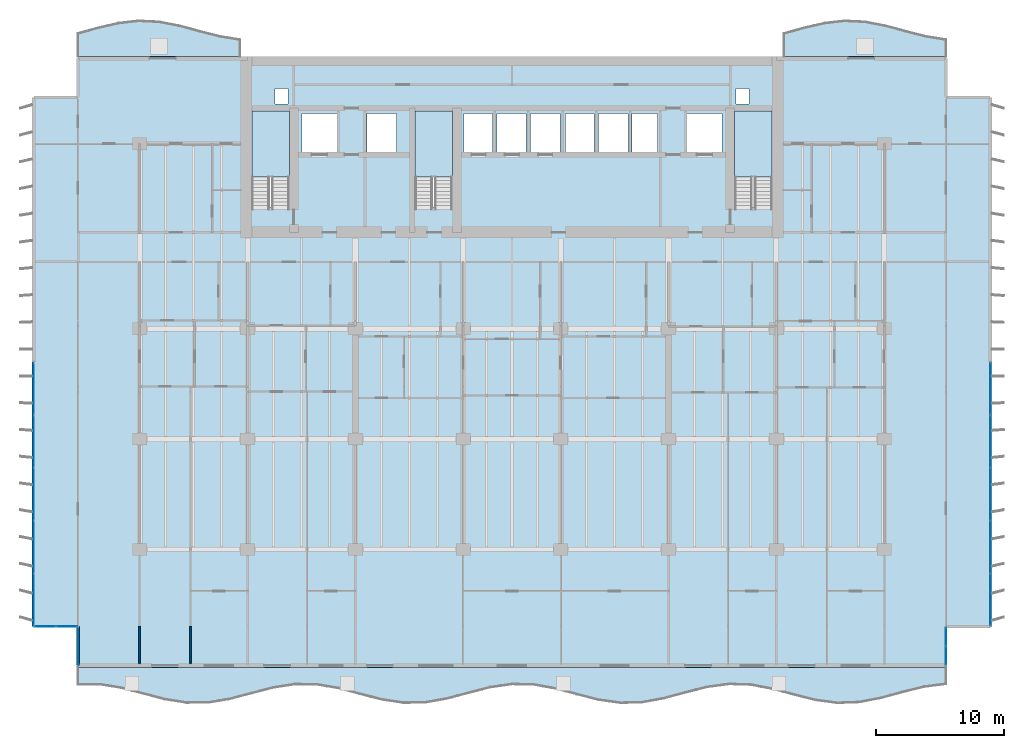
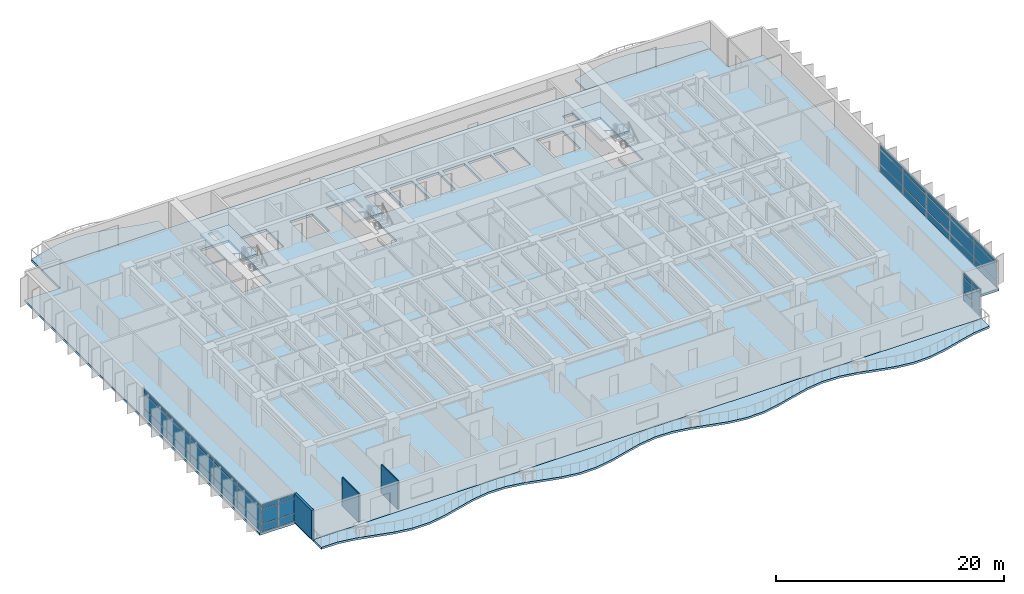
# One storey, part 5 of 17: 42 plates, 7 slabs, 3 walls, 7 elements without a shape of their own.
"""IFC4 building model written with IfcOpenShell, lengths in metres."""

from ifc_helpers import new_model, si_unit, direction, frame, frame_2d, origin, origin_2d, place, context, subcontext, project, spatial, polyline, rectangle, outline, extrude, material, layer, layer_set, type_object, element, aggregate, save


model = new_model("IFC4")

# Units and contexts
model_context = context("Model", 3, precision=1e-05, world=origin(), true_north=direction((0.0, 1.0)))
body_context = subcontext(model_context, "Body", "Model", "MODEL_VIEW")
ifc_project = project(units=[si_unit("LENGTHUNIT", "METRE"), si_unit("AREAUNIT", "SQUARE_METRE"), si_unit("VOLUMEUNIT", "CUBIC_METRE"), si_unit("PLANEANGLEUNIT", "RADIAN"), si_unit("MASSUNIT", "GRAM", prefix="KILO")], contexts=[model_context])

# Site, building, storey
site_placement = place(None, origin())
site = spatial("IfcSite", under=ifc_project, at=site_placement, CompositionType="ELEMENT")
building_placement = place(site_placement, origin())
building = spatial("IfcBuilding", under=site, at=building_placement, Name="Caelmar Bay Residences", CompositionType="ELEMENT")
storey_placement = place(building_placement, frame((0.0, 0.0, 53.10009765625)))
storey = spatial("IfcBuildingStorey", under=building, at=storey_placement, Name="L13", CompositionType="ELEMENT", Elevation=53.10009765625)

# Curtain wall, plates
ifc_material_1 = material(Name="Anodised bronze aluminium 6063-T6 and laminated glass", Category="aluminium")
ifc_layer_1 = layer(ifc_material_1, 0.179931640625)
ifc_layer_set_1 = layer_set([ifc_layer_1], Name="Anodised bronze aluminium 6063-T6 and laminated glass")
curtain_wall_type_1 = type_object("IfcCurtainWallType", Name="CW6-NTC", PredefinedType="NOTDEFINED", material=ifc_layer_set_1)
curtain_wall_1_placement = place(storey_placement, origin())
curtain_wall_1 = element("IfcCurtainWall", 1, at=curtain_wall_1_placement, inside=storey, type_object=curtain_wall_type_1, Name="CW6 curtain wall L13", PredefinedType="NOTDEFINED")
ifc_material_2 = material(Name="Bronze-tinted laminated low-E hurricane glass 28 mm", Category="glass")
ifc_layer_2 = layer(ifc_material_2, 0.028076171875)
ifc_layer_set_2 = layer_set([ifc_layer_2], Name="Bronze-tinted laminated low-E hurricane glass 28 mm")
plate_type = type_object("IfcPlateType", Name="CWP-GLZ28", PredefinedType="CURTAIN_PANEL", material=ifc_layer_set_2)
plate_1_placement = place(storey_placement, frame((2.532470703125, 6.199951171875, 0.080078125), z_axis=(0.0, 0.0, 1.0), x_axis=(1.0, 0.0, 0.0)))
plate_1 = element("IfcPlate", 2, at=plate_1_placement, type_object=plate_type, Name="CW6 panel 1.1", PredefinedType="CURTAIN_PANEL", context=body_context, shape_type="SweptSolid", body=[
    extrude(rectangle(XDim=1.60498046875, YDim=0.028076171875, at=origin_2d()), origin(), (0.0, 0.0, 1.0), 0.780029296875),
])
plate_2_placement = place(storey_placement, frame((2.532470703125, 6.199951171875, 0.93994140625), z_axis=(0.0, 0.0, 1.0), x_axis=(1.0, 0.0, 0.0)))
plate_2 = element("IfcPlate", 3, at=plate_2_placement, type_object=plate_type, Name="CW6 panel 1.2", PredefinedType="CURTAIN_PANEL", context=body_context, shape_type="SweptSolid", body=[
    extrude(rectangle(XDim=1.60498046875, YDim=0.028076171875, at=origin_2d()), origin(), (0.0, 0.0, 1.0), 1.52001953125),
])
plate_3_placement = place(storey_placement, frame((2.532470703125, 6.199951171875, 2.5400390625), z_axis=(0.0, 0.0, 1.0), x_axis=(1.0, 0.0, 0.0)))
plate_3 = element("IfcPlate", 4, at=plate_3_placement, type_object=plate_type, Name="CW6 panel 1.3", PredefinedType="CURTAIN_PANEL", context=body_context, shape_type="SweptSolid", body=[
    extrude(rectangle(XDim=1.60498046875, YDim=0.028076171875, at=origin_2d()), origin(), (0.0, 0.0, 1.0), 0.429931640625),
])
plate_4_placement = place(storey_placement, frame((4.217529296875, 6.199951171875, 0.080078125), z_axis=(0.0, 0.0, 1.0), x_axis=(1.0, 0.0, 0.0)))
plate_4 = element("IfcPlate", 5, at=plate_4_placement, type_object=plate_type, Name="CW6 panel 2.1", PredefinedType="CURTAIN_PANEL", context=body_context, shape_type="SweptSolid", body=[
    extrude(rectangle(XDim=1.60498046875, YDim=0.028076171875, at=origin_2d()), origin(), (0.0, 0.0, 1.0), 0.780029296875),
])
plate_5_placement = place(storey_placement, frame((4.217529296875, 6.199951171875, 0.93994140625), z_axis=(0.0, 0.0, 1.0), x_axis=(1.0, 0.0, 0.0)))
plate_5 = element("IfcPlate", 6, at=plate_5_placement, type_object=plate_type, Name="CW6 panel 2.2", PredefinedType="CURTAIN_PANEL", context=body_context, shape_type="SweptSolid", body=[
    extrude(rectangle(XDim=1.60498046875, YDim=0.028076171875, at=origin_2d()), origin(), (0.0, 0.0, 1.0), 1.52001953125),
])
plate_6_placement = place(storey_placement, frame((4.217529296875, 6.199951171875, 2.5400390625), z_axis=(0.0, 0.0, 1.0), x_axis=(1.0, 0.0, 0.0)))
plate_6 = element("IfcPlate", 7, at=plate_6_placement, type_object=plate_type, Name="CW6 panel 2.3", PredefinedType="CURTAIN_PANEL", context=body_context, shape_type="SweptSolid", body=[
    extrude(rectangle(XDim=1.60498046875, YDim=0.028076171875, at=origin_2d()), origin(), (0.0, 0.0, 1.0), 0.429931640625),
])
aggregate(curtain_wall_1, [plate_1, plate_2, plate_3, plate_4, plate_5, plate_6])

curtain_wall_2_placement = place(storey_placement, origin())
curtain_wall_2 = element("IfcCurtainWall", 8, at=curtain_wall_2_placement, inside=storey, type_object=curtain_wall_type_1, Name="CW6 curtain wall L13", PredefinedType="NOTDEFINED")
plate_7_placement = place(storey_placement, frame((72.699951171875, 3.9326171875, 0.080078125), z_axis=(0.0, 0.0, 1.0), x_axis=(0.0, 1.0, 0.0)))
plate_7 = element("IfcPlate", 9, at=plate_7_placement, type_object=plate_type, Name="CW6 panel 1.1", PredefinedType="CURTAIN_PANEL", context=body_context, shape_type="SweptSolid", body=[
    extrude(rectangle(XDim=1.405029296875, YDim=0.028076171875, at=origin_2d()), origin(), (0.0, 0.0, 1.0), 0.780029296875),
])
plate_8_placement = place(storey_placement, frame((72.699951171875, 3.9326171875, 0.93994140625), z_axis=(0.0, 0.0, 1.0), x_axis=(0.0, 1.0, 0.0)))
plate_8 = element("IfcPlate", 10, at=plate_8_placement, type_object=plate_type, Name="CW6 panel 1.2", PredefinedType="CURTAIN_PANEL", context=body_context, shape_type="SweptSolid", body=[
    extrude(rectangle(XDim=1.405029296875, YDim=0.028076171875, at=origin_2d()), origin(), (0.0, 0.0, 1.0), 1.52001953125),
])
plate_9_placement = place(storey_placement, frame((72.699951171875, 3.9326171875, 2.5400390625), z_axis=(0.0, 0.0, 1.0), x_axis=(0.0, 1.0, 0.0)))
plate_9 = element("IfcPlate", 11, at=plate_9_placement, type_object=plate_type, Name="CW6 panel 1.3", PredefinedType="CURTAIN_PANEL", context=body_context, shape_type="SweptSolid", body=[
    extrude(rectangle(XDim=1.405029296875, YDim=0.028076171875, at=origin_2d()), origin(), (0.0, 0.0, 1.0), 0.429931640625),
])
plate_10_placement = place(storey_placement, frame((72.699951171875, 5.41748046875, 0.080078125), z_axis=(0.0, 0.0, 1.0), x_axis=(0.0, 1.0, 0.0)))
plate_10 = element("IfcPlate", 12, at=plate_10_placement, type_object=plate_type, Name="CW6 panel 2.1", PredefinedType="CURTAIN_PANEL", context=body_context, shape_type="SweptSolid", body=[
    extrude(rectangle(XDim=1.405029296875, YDim=0.028076171875, at=origin_2d()), origin(), (0.0, 0.0, 1.0), 0.780029296875),
])
plate_11_placement = place(storey_placement, frame((72.699951171875, 5.41748046875, 0.93994140625), z_axis=(0.0, 0.0, 1.0), x_axis=(0.0, 1.0, 0.0)))
plate_11 = element("IfcPlate", 13, at=plate_11_placement, type_object=plate_type, Name="CW6 panel 2.2", PredefinedType="CURTAIN_PANEL", context=body_context, shape_type="SweptSolid", body=[
    extrude(rectangle(XDim=1.405029296875, YDim=0.028076171875, at=origin_2d()), origin(), (0.0, 0.0, 1.0), 1.52001953125),
])
plate_12_placement = place(storey_placement, frame((72.699951171875, 5.41748046875, 2.5400390625), z_axis=(0.0, 0.0, 1.0), x_axis=(0.0, 1.0, 0.0)))
plate_12 = element("IfcPlate", 14, at=plate_12_placement, type_object=plate_type, Name="CW6 panel 2.3", PredefinedType="CURTAIN_PANEL", context=body_context, shape_type="SweptSolid", body=[
    extrude(rectangle(XDim=1.405029296875, YDim=0.028076171875, at=origin_2d()), origin(), (0.0, 0.0, 1.0), 0.429931640625),
])
aggregate(curtain_wall_2, [plate_7, plate_8, plate_9, plate_10, plate_11, plate_12])

ifc_layer_3 = layer(ifc_material_1, 0.179931640625)
ifc_layer_set_3 = layer_set([ifc_layer_3], Name="Anodised bronze aluminium 6063-T6 and laminated glass")
curtain_wall_type_2 = type_object("IfcCurtainWallType", Name="CW2-Z1", PredefinedType="NOTDEFINED", material=ifc_layer_set_3)
curtain_wall_3_placement = place(storey_placement, origin())
curtain_wall_3 = element("IfcCurtainWall", 15, at=curtain_wall_3_placement, inside=storey, type_object=curtain_wall_type_2, Name="CW2 curtain wall L13", PredefinedType="NOTDEFINED")
plate_13_placement = place(storey_placement, frame((1.64990234375, 8.280029296875, 0.080078125), z_axis=(0.0, 0.0, 1.0), x_axis=(0.0, 1.0, 0.0)))
plate_13 = element("IfcPlate", 16, at=plate_13_placement, type_object=plate_type, Name="CW2 panel 1.1", PredefinedType="CURTAIN_PANEL", context=body_context, shape_type="SweptSolid", body=[
    extrude(rectangle(XDim=4.0, YDim=0.028076171875, at=origin_2d()), origin(), (0.0, 0.0, 1.0), 0.780029296875),
])
plate_14_placement = place(storey_placement, frame((1.64990234375, 8.280029296875, 0.93994140625), z_axis=(0.0, 0.0, 1.0), x_axis=(0.0, 1.0, 0.0)))
plate_14 = element("IfcPlate", 17, at=plate_14_placement, type_object=plate_type, Name="CW2 panel 1.2", PredefinedType="CURTAIN_PANEL", context=body_context, shape_type="SweptSolid", body=[
    extrude(rectangle(XDim=4.0, YDim=0.028076171875, at=origin_2d()), origin(), (0.0, 0.0, 1.0), 1.52001953125),
])
plate_15_placement = place(storey_placement, frame((1.64990234375, 8.280029296875, 2.5400390625), z_axis=(0.0, 0.0, 1.0), x_axis=(0.0, 1.0, 0.0)))
plate_15 = element("IfcPlate", 18, at=plate_15_placement, type_object=plate_type, Name="CW2 panel 1.3", PredefinedType="CURTAIN_PANEL", context=body_context, shape_type="SweptSolid", body=[
    extrude(rectangle(XDim=4.0, YDim=0.028076171875, at=origin_2d()), origin(), (0.0, 0.0, 1.0), 0.429931640625),
])
plate_16_placement = place(storey_placement, frame((1.64990234375, 12.3798828125, 0.080078125), z_axis=(0.0, 0.0, 1.0), x_axis=(0.0, 1.0, 0.0)))
plate_16 = element("IfcPlate", 19, at=plate_16_placement, type_object=plate_type, Name="CW2 panel 2.1", PredefinedType="CURTAIN_PANEL", context=body_context, shape_type="SweptSolid", body=[
    extrude(rectangle(XDim=4.0400390625, YDim=0.028076171875, at=origin_2d()), origin(), (0.0, 0.0, 1.0), 0.780029296875),
])
plate_17_placement = place(storey_placement, frame((1.64990234375, 12.3798828125, 0.93994140625), z_axis=(0.0, 0.0, 1.0), x_axis=(0.0, 1.0, 0.0)))
plate_17 = element("IfcPlate", 20, at=plate_17_placement, type_object=plate_type, Name="CW2 panel 2.2", PredefinedType="CURTAIN_PANEL", context=body_context, shape_type="SweptSolid", body=[
    extrude(rectangle(XDim=4.0400390625, YDim=0.028076171875, at=origin_2d()), origin(), (0.0, 0.0, 1.0), 1.52001953125),
])
plate_18_placement = place(storey_placement, frame((1.64990234375, 12.3798828125, 2.5400390625), z_axis=(0.0, 0.0, 1.0), x_axis=(0.0, 1.0, 0.0)))
plate_18 = element("IfcPlate", 21, at=plate_18_placement, type_object=plate_type, Name="CW2 panel 2.3", PredefinedType="CURTAIN_PANEL", context=body_context, shape_type="SweptSolid", body=[
    extrude(rectangle(XDim=4.0400390625, YDim=0.028076171875, at=origin_2d()), origin(), (0.0, 0.0, 1.0), 0.429931640625),
])
plate_19_placement = place(storey_placement, frame((1.64990234375, 16.5, 0.080078125), z_axis=(0.0, 0.0, 1.0), x_axis=(0.0, 1.0, 0.0)))
plate_19 = element("IfcPlate", 22, at=plate_19_placement, type_object=plate_type, Name="CW2 panel 3.1", PredefinedType="CURTAIN_PANEL", context=body_context, shape_type="SweptSolid", body=[
    extrude(rectangle(XDim=4.0400390625, YDim=0.028076171875, at=origin_2d()), origin(), (0.0, 0.0, 1.0), 0.780029296875),
])
plate_20_placement = place(storey_placement, frame((1.64990234375, 16.5, 0.93994140625), z_axis=(0.0, 0.0, 1.0), x_axis=(0.0, 1.0, 0.0)))
plate_20 = element("IfcPlate", 23, at=plate_20_placement, type_object=plate_type, Name="CW2 panel 3.2", PredefinedType="CURTAIN_PANEL", context=body_context, shape_type="SweptSolid", body=[
    extrude(rectangle(XDim=4.0400390625, YDim=0.028076171875, at=origin_2d()), origin(), (0.0, 0.0, 1.0), 1.52001953125),
])
plate_21_placement = place(storey_placement, frame((1.64990234375, 16.5, 2.5400390625), z_axis=(0.0, 0.0, 1.0), x_axis=(0.0, 1.0, 0.0)))
plate_21 = element("IfcPlate", 24, at=plate_21_placement, type_object=plate_type, Name="CW2 panel 3.3", PredefinedType="CURTAIN_PANEL", context=body_context, shape_type="SweptSolid", body=[
    extrude(rectangle(XDim=4.0400390625, YDim=0.028076171875, at=origin_2d()), origin(), (0.0, 0.0, 1.0), 0.429931640625),
])
plate_22_placement = place(storey_placement, frame((1.64990234375, 20.6201171875, 0.080078125), z_axis=(0.0, 0.0, 1.0), x_axis=(0.0, 1.0, 0.0)))
plate_22 = element("IfcPlate", 25, at=plate_22_placement, type_object=plate_type, Name="CW2 panel 4.1", PredefinedType="CURTAIN_PANEL", context=body_context, shape_type="SweptSolid", body=[
    extrude(rectangle(XDim=4.0400390625, YDim=0.028076171875, at=origin_2d()), origin(), (0.0, 0.0, 1.0), 0.780029296875),
])
plate_23_placement = place(storey_placement, frame((1.64990234375, 20.6201171875, 0.93994140625), z_axis=(0.0, 0.0, 1.0), x_axis=(0.0, 1.0, 0.0)))
plate_23 = element("IfcPlate", 26, at=plate_23_placement, type_object=plate_type, Name="CW2 panel 4.2", PredefinedType="CURTAIN_PANEL", context=body_context, shape_type="SweptSolid", body=[
    extrude(rectangle(XDim=4.0400390625, YDim=0.028076171875, at=origin_2d()), origin(), (0.0, 0.0, 1.0), 1.52001953125),
])
plate_24_placement = place(storey_placement, frame((1.64990234375, 20.6201171875, 2.5400390625), z_axis=(0.0, 0.0, 1.0), x_axis=(0.0, 1.0, 0.0)))
plate_24 = element("IfcPlate", 27, at=plate_24_placement, type_object=plate_type, Name="CW2 panel 4.3", PredefinedType="CURTAIN_PANEL", context=body_context, shape_type="SweptSolid", body=[
    extrude(rectangle(XDim=4.0400390625, YDim=0.028076171875, at=origin_2d()), origin(), (0.0, 0.0, 1.0), 0.429931640625),
])
plate_25_placement = place(storey_placement, frame((1.64990234375, 24.719970703125, 0.080078125), z_axis=(0.0, 0.0, 1.0), x_axis=(0.0, 1.0, 0.0)))
plate_25 = element("IfcPlate", 28, at=plate_25_placement, type_object=plate_type, Name="CW2 panel 5.1", PredefinedType="CURTAIN_PANEL", context=body_context, shape_type="SweptSolid", body=[
    extrude(rectangle(XDim=4.0, YDim=0.028076171875, at=origin_2d()), origin(), (0.0, 0.0, 1.0), 0.780029296875),
])
plate_26_placement = place(storey_placement, frame((1.64990234375, 24.719970703125, 0.93994140625), z_axis=(0.0, 0.0, 1.0), x_axis=(0.0, 1.0, 0.0)))
plate_26 = element("IfcPlate", 29, at=plate_26_placement, type_object=plate_type, Name="CW2 panel 5.2", PredefinedType="CURTAIN_PANEL", context=body_context, shape_type="SweptSolid", body=[
    extrude(rectangle(XDim=4.0, YDim=0.028076171875, at=origin_2d()), origin(), (0.0, 0.0, 1.0), 1.52001953125),
])
plate_27_placement = place(storey_placement, frame((1.64990234375, 24.719970703125, 2.5400390625), z_axis=(0.0, 0.0, 1.0), x_axis=(0.0, 1.0, 0.0)))
plate_27 = element("IfcPlate", 30, at=plate_27_placement, type_object=plate_type, Name="CW2 panel 5.3", PredefinedType="CURTAIN_PANEL", context=body_context, shape_type="SweptSolid", body=[
    extrude(rectangle(XDim=4.0, YDim=0.028076171875, at=origin_2d()), origin(), (0.0, 0.0, 1.0), 0.429931640625),
])
aggregate(curtain_wall_3, [plate_13, plate_14, plate_15, plate_16, plate_17, plate_18, plate_19, plate_20, plate_21, plate_22, plate_23, plate_24, plate_25, plate_26, plate_27])

curtain_wall_4_placement = place(storey_placement, origin())
curtain_wall_4 = element("IfcCurtainWall", 31, at=curtain_wall_4_placement, inside=storey, type_object=curtain_wall_type_2, Name="CW2 curtain wall L13", PredefinedType="NOTDEFINED")
plate_28_placement = place(storey_placement, frame((76.14990234375, 24.719970703125, 0.080078125), z_axis=(0.0, 0.0, 1.0), x_axis=(0.0, -1.0, 0.0)))
plate_28 = element("IfcPlate", 32, at=plate_28_placement, type_object=plate_type, Name="CW2 panel 1.1", PredefinedType="CURTAIN_PANEL", context=body_context, shape_type="SweptSolid", body=[
    extrude(rectangle(XDim=4.0, YDim=0.028076171875, at=origin_2d()), origin(), (0.0, 0.0, 1.0), 0.780029296875),
])
plate_29_placement = place(storey_placement, frame((76.14990234375, 24.719970703125, 0.93994140625), z_axis=(0.0, 0.0, 1.0), x_axis=(0.0, -1.0, 0.0)))
plate_29 = element("IfcPlate", 33, at=plate_29_placement, type_object=plate_type, Name="CW2 panel 1.2", PredefinedType="CURTAIN_PANEL", context=body_context, shape_type="SweptSolid", body=[
    extrude(rectangle(XDim=4.0, YDim=0.028076171875, at=origin_2d()), origin(), (0.0, 0.0, 1.0), 1.52001953125),
])
plate_30_placement = place(storey_placement, frame((76.14990234375, 24.719970703125, 2.5400390625), z_axis=(0.0, 0.0, 1.0), x_axis=(0.0, -1.0, 0.0)))
plate_30 = element("IfcPlate", 34, at=plate_30_placement, type_object=plate_type, Name="CW2 panel 1.3", PredefinedType="CURTAIN_PANEL", context=body_context, shape_type="SweptSolid", body=[
    extrude(rectangle(XDim=4.0, YDim=0.028076171875, at=origin_2d()), origin(), (0.0, 0.0, 1.0), 0.429931640625),
])
plate_31_placement = place(storey_placement, frame((76.14990234375, 20.6201171875, 0.080078125), z_axis=(0.0, 0.0, 1.0), x_axis=(0.0, -1.0, 0.0)))
plate_31 = element("IfcPlate", 35, at=plate_31_placement, type_object=plate_type, Name="CW2 panel 2.1", PredefinedType="CURTAIN_PANEL", context=body_context, shape_type="SweptSolid", body=[
    extrude(rectangle(XDim=4.0400390625, YDim=0.028076171875, at=origin_2d()), origin(), (0.0, 0.0, 1.0), 0.780029296875),
])
plate_32_placement = place(storey_placement, frame((76.14990234375, 20.6201171875, 0.93994140625), z_axis=(0.0, 0.0, 1.0), x_axis=(0.0, -1.0, 0.0)))
plate_32 = element("IfcPlate", 36, at=plate_32_placement, type_object=plate_type, Name="CW2 panel 2.2", PredefinedType="CURTAIN_PANEL", context=body_context, shape_type="SweptSolid", body=[
    extrude(rectangle(XDim=4.0400390625, YDim=0.028076171875, at=origin_2d()), origin(), (0.0, 0.0, 1.0), 1.52001953125),
])
plate_33_placement = place(storey_placement, frame((76.14990234375, 20.6201171875, 2.5400390625), z_axis=(0.0, 0.0, 1.0), x_axis=(0.0, -1.0, 0.0)))
plate_33 = element("IfcPlate", 37, at=plate_33_placement, type_object=plate_type, Name="CW2 panel 2.3", PredefinedType="CURTAIN_PANEL", context=body_context, shape_type="SweptSolid", body=[
    extrude(rectangle(XDim=4.0400390625, YDim=0.028076171875, at=origin_2d()), origin(), (0.0, 0.0, 1.0), 0.429931640625),
])
plate_34_placement = place(storey_placement, frame((76.14990234375, 16.5, 0.080078125), z_axis=(0.0, 0.0, 1.0), x_axis=(0.0, -1.0, 0.0)))
plate_34 = element("IfcPlate", 38, at=plate_34_placement, type_object=plate_type, Name="CW2 panel 3.1", PredefinedType="CURTAIN_PANEL", context=body_context, shape_type="SweptSolid", body=[
    extrude(rectangle(XDim=4.0400390625, YDim=0.028076171875, at=origin_2d()), origin(), (0.0, 0.0, 1.0), 0.780029296875),
])
plate_35_placement = place(storey_placement, frame((76.14990234375, 16.5, 0.93994140625), z_axis=(0.0, 0.0, 1.0), x_axis=(0.0, -1.0, 0.0)))
plate_35 = element("IfcPlate", 39, at=plate_35_placement, type_object=plate_type, Name="CW2 panel 3.2", PredefinedType="CURTAIN_PANEL", context=body_context, shape_type="SweptSolid", body=[
    extrude(rectangle(XDim=4.0400390625, YDim=0.028076171875, at=origin_2d()), origin(), (0.0, 0.0, 1.0), 1.52001953125),
])
plate_36_placement = place(storey_placement, frame((76.14990234375, 16.5, 2.5400390625), z_axis=(0.0, 0.0, 1.0), x_axis=(0.0, -1.0, 0.0)))
plate_36 = element("IfcPlate", 40, at=plate_36_placement, type_object=plate_type, Name="CW2 panel 3.3", PredefinedType="CURTAIN_PANEL", context=body_context, shape_type="SweptSolid", body=[
    extrude(rectangle(XDim=4.0400390625, YDim=0.028076171875, at=origin_2d()), origin(), (0.0, 0.0, 1.0), 0.429931640625),
])
plate_37_placement = place(storey_placement, frame((76.14990234375, 12.3798828125, 0.080078125), z_axis=(0.0, 0.0, 1.0), x_axis=(0.0, -1.0, 0.0)))
plate_37 = element("IfcPlate", 41, at=plate_37_placement, type_object=plate_type, Name="CW2 panel 4.1", PredefinedType="CURTAIN_PANEL", context=body_context, shape_type="SweptSolid", body=[
    extrude(rectangle(XDim=4.0400390625, YDim=0.028076171875, at=origin_2d()), origin(), (0.0, 0.0, 1.0), 0.780029296875),
])
plate_38_placement = place(storey_placement, frame((76.14990234375, 12.3798828125, 0.93994140625), z_axis=(0.0, 0.0, 1.0), x_axis=(0.0, -1.0, 0.0)))
plate_38 = element("IfcPlate", 42, at=plate_38_placement, type_object=plate_type, Name="CW2 panel 4.2", PredefinedType="CURTAIN_PANEL", context=body_context, shape_type="SweptSolid", body=[
    extrude(rectangle(XDim=4.0400390625, YDim=0.028076171875, at=origin_2d()), origin(), (0.0, 0.0, 1.0), 1.52001953125),
])
plate_39_placement = place(storey_placement, frame((76.14990234375, 12.3798828125, 2.5400390625), z_axis=(0.0, 0.0, 1.0), x_axis=(0.0, -1.0, 0.0)))
plate_39 = element("IfcPlate", 43, at=plate_39_placement, type_object=plate_type, Name="CW2 panel 4.3", PredefinedType="CURTAIN_PANEL", context=body_context, shape_type="SweptSolid", body=[
    extrude(rectangle(XDim=4.0400390625, YDim=0.028076171875, at=origin_2d()), origin(), (0.0, 0.0, 1.0), 0.429931640625),
])
plate_40_placement = place(storey_placement, frame((76.14990234375, 8.280029296875, 0.080078125), z_axis=(0.0, 0.0, 1.0), x_axis=(0.0, -1.0, 0.0)))
plate_40 = element("IfcPlate", 44, at=plate_40_placement, type_object=plate_type, Name="CW2 panel 5.1", PredefinedType="CURTAIN_PANEL", context=body_context, shape_type="SweptSolid", body=[
    extrude(rectangle(XDim=4.0, YDim=0.028076171875, at=origin_2d()), origin(), (0.0, 0.0, 1.0), 0.780029296875),
])
plate_41_placement = place(storey_placement, frame((76.14990234375, 8.280029296875, 0.93994140625), z_axis=(0.0, 0.0, 1.0), x_axis=(0.0, -1.0, 0.0)))
plate_41 = element("IfcPlate", 45, at=plate_41_placement, type_object=plate_type, Name="CW2 panel 5.2", PredefinedType="CURTAIN_PANEL", context=body_context, shape_type="SweptSolid", body=[
    extrude(rectangle(XDim=4.0, YDim=0.028076171875, at=origin_2d()), origin(), (0.0, 0.0, 1.0), 1.52001953125),
])
plate_42_placement = place(storey_placement, frame((76.14990234375, 8.280029296875, 2.5400390625), z_axis=(0.0, 0.0, 1.0), x_axis=(0.0, -1.0, 0.0)))
plate_42 = element("IfcPlate", 46, at=plate_42_placement, type_object=plate_type, Name="CW2 panel 5.3", PredefinedType="CURTAIN_PANEL", context=body_context, shape_type="SweptSolid", body=[
    extrude(rectangle(XDim=4.0, YDim=0.028076171875, at=origin_2d()), origin(), (0.0, 0.0, 1.0), 0.429931640625),
])
aggregate(curtain_wall_4, [plate_28, plate_29, plate_30, plate_31, plate_32, plate_33, plate_34, plate_35, plate_36, plate_37, plate_38, plate_39, plate_40, plate_41, plate_42])

# Slabs
ifc_material_3 = material(Name="Concrete f'c 40 MPa (6,000 psi)", Category="concrete")
ifc_layer_4 = layer(ifc_material_3, 0.219970703125)
ifc_layer_set_4 = layer_set([ifc_layer_4], Name="Concrete f'c 40 MPa (6,000 psi)")
slab_type_1 = type_object("IfcSlabType", Name="SLB-BAL-220", PredefinedType="FLOOR", material=ifc_layer_set_4)
slab_1_placement = place(storey_placement, frame((0.0, 0.0, -0.22021484375)))
element("IfcSlab", 47, at=slab_1_placement, inside=storey, type_object=slab_type_1, Name="L13 Sinusoidal Tree-Balcony Slab south", PredefinedType="FLOOR", context=body_context, shape_type="SweptSolid", body=[
    extrude(outline(polyline([(5.10009765625, 1.61328125), (6.7900390625, 1.6123046875), (8.47998046875, 1.336181640625), (10.169921875, 0.8916015625), (11.860107421875, 0.4501953125), (13.550048828125, 0.1826171875), (15.239990234375, 0.192138671875), (16.929931640625, 0.47509765625), (18.6201171875, 0.92236328125), (20.31005859375, 1.361083984375), (22.0, 1.62158203125), (23.68994140625, 1.603271484375), (25.3798828125, 1.313232421875), (27.070068359375, 0.863525390625), (28.760009765625, 0.427978515625), (30.449951171875, 0.1748046875), (32.139892578125, 0.201904296875), (33.830078125, 0.49853515625), (35.52001953125, 0.950439453125), (37.2099609375, 1.3828125), (38.89990234375, 1.628662109375), (40.590087890625, 1.593017578125), (42.280029296875, 1.28955078125), (43.969970703125, 0.835693359375), (45.659912109375, 0.406494140625), (47.35009765625, 0.168212890625), (49.0400390625, 0.212646484375), (50.72998046875, 0.522705078125), (52.419921875, 0.978515625), (54.110107421875, 1.40380859375), (55.800048828125, 1.634765625), (57.489990234375, 1.581787109375), (59.179931640625, 1.26513671875), (60.8701171875, 0.8076171875), (62.56005859375, 0.3857421875), (64.25, 0.16259765625), (65.93994140625, 0.224365234375), (67.6298828125, 0.547119140625), (69.320068359375, 1.006103515625), (71.010009765625, 1.42431640625), (72.699951171875, 1.639892578125), (72.699951171875, 3.0), (5.10009765625, 3.0), (5.10009765625, 1.61328125)])), origin(), (0.0, 0.0, 1.0), 0.22021484375),
])
slab_2_placement = place(storey_placement, frame((0.0, 0.0, -0.22021484375)))
element("IfcSlab", 48, at=slab_2_placement, inside=storey, type_object=slab_type_1, Name="L13 Sinusoidal Tree-Balcony Slab north_west", PredefinedType="FLOOR", context=body_context, shape_type="SweptSolid", body=[
    extrude(outline(polyline([(5.10009765625, 50.60009765625), (17.699951171875, 50.60009765625), (17.699951171875, 51.98681640625), (16.125, 52.235595703125), (14.550048828125, 52.64111328125), (12.97509765625, 53.06640625), (11.39990234375, 53.368408203125), (9.824951171875, 53.44482421875), (8.25, 53.270263671875), (6.675048828125, 52.903564453125), (5.10009765625, 52.46826171875), (5.10009765625, 50.60009765625)])), origin(), (0.0, 0.0, 1.0), 0.22021484375),
])
slab_3_placement = place(storey_placement, frame((0.0, 0.0, -0.22021484375)))
element("IfcSlab", 49, at=slab_3_placement, inside=storey, type_object=slab_type_1, Name="L13 Sinusoidal Tree-Balcony Slab north_east", PredefinedType="FLOOR", context=body_context, shape_type="SweptSolid", body=[
    extrude(outline(polyline([(60.10009765625, 50.60009765625), (72.699951171875, 50.60009765625), (72.699951171875, 51.98681640625), (71.125, 52.235595703125), (69.550048828125, 52.64111328125), (67.97509765625, 53.06640625), (66.39990234375, 53.368408203125), (64.824951171875, 53.44482421875), (63.25, 53.270263671875), (61.675048828125, 52.903564453125), (60.10009765625, 52.46826171875), (60.10009765625, 50.60009765625)])), origin(), (0.0, 0.0, 1.0), 0.22021484375),
])

# Stair, slab
stair_type = type_object("IfcStairType", Name="ST-TYP-165", PredefinedType="HALF_TURN_STAIR", material=ifc_material_3)
stair_1_placement = place(storey_placement, origin())
stair_1 = element("IfcStair", 50, at=stair_1_placement, inside=storey, type_object=stair_type, Name="L13 West Smokeproof Exit Stair ST1", PredefinedType="HALF_TURN_STAIR")
ifc_layer_5 = layer(ifc_material_3, 0.199951171875)
ifc_layer_set_5 = layer_set([ifc_layer_5], Name="Concrete f'c 40 MPa (6,000 psi)")
slab_type_2 = type_object("IfcSlabType", Name="SLB-LND-200", PredefinedType="LANDING", material=ifc_layer_set_5)
slab_4_placement = place(storey_placement, frame((0.0, 0.0, 1.449951171875)))
slab_4 = element("IfcSlab", 51, at=slab_4_placement, type_object=slab_type_2, Name="ST1 landing 1", PredefinedType="LANDING", context=body_context, shape_type="SweptSolid", body=[
    extrude(outline(polyline([(21.550048828125, 41.219970703125), (21.550048828125, 46.35009765625), (18.64990234375, 46.35009765625), (18.64990234375, 41.219970703125), (21.550048828125, 41.219970703125)])), origin(), (0.0, 0.0, 1.0), 0.199951171875),
])
aggregate(stair_1, [slab_4])

stair_2_placement = place(storey_placement, origin())
stair_2 = element("IfcStair", 52, at=stair_2_placement, inside=storey, type_object=stair_type, Name="L13 East Smokeproof Exit Stair ST2", PredefinedType="HALF_TURN_STAIR")
slab_5_placement = place(storey_placement, frame((0.0, 0.0, 1.449951171875)))
slab_5 = element("IfcSlab", 53, at=slab_5_placement, type_object=slab_type_2, Name="ST2 landing 1", PredefinedType="LANDING", context=body_context, shape_type="SweptSolid", body=[
    extrude(outline(polyline([(59.14990234375, 41.219970703125), (59.14990234375, 46.35009765625), (56.25, 46.35009765625), (56.25, 41.219970703125), (59.14990234375, 41.219970703125)])), origin(), (0.0, 0.0, 1.0), 0.199951171875),
])
aggregate(stair_2, [slab_5])

stair_3_placement = place(storey_placement, origin())
stair_3 = element("IfcStair", 54, at=stair_3_placement, inside=storey, type_object=stair_type, Name="L13 Central Smokeproof Exit Stair ST3", PredefinedType="HALF_TURN_STAIR")
slab_6_placement = place(storey_placement, frame((0.0, 0.0, 1.449951171875)))
slab_6 = element("IfcSlab", 55, at=slab_6_placement, type_object=slab_type_2, Name="ST3 landing 1", PredefinedType="LANDING", context=body_context, shape_type="SweptSolid", body=[
    extrude(outline(polyline([(34.25, 41.219970703125), (34.25, 46.35009765625), (31.35009765625, 46.35009765625), (31.35009765625, 41.219970703125), (34.25, 41.219970703125)])), origin(), (0.0, 0.0, 1.0), 0.199951171875),
])
aggregate(stair_3, [slab_6])

# Slab
ifc_layer_6 = layer(ifc_material_3, 0.25)
ifc_layer_set_6 = layer_set([ifc_layer_6], Name="Concrete f'c 40 MPa (6,000 psi)")
slab_type_3 = type_object("IfcSlabType", Name="SLB-RES-250", PredefinedType="FLOOR", material=ifc_layer_set_6)
slab_7_placement = place(storey_placement, frame((0.0, 0.0, -0.25)))
element("IfcSlab", 56, at=slab_7_placement, inside=storey, type_object=slab_type_3, Name="L13 Structural Floor Slab", PredefinedType="FLOOR", context=body_context, shape_type="SweptSolid", body=[
    extrude(outline(polyline([(5.10009765625, 3.0), (72.699951171875, 3.0), (72.699951171875, 6.199951171875), (76.300048828125, 6.199951171875), (76.300048828125, 47.39990234375), (72.699951171875, 47.39990234375), (72.699951171875, 50.60009765625), (5.10009765625, 50.60009765625), (5.10009765625, 47.39990234375), (1.5, 47.39990234375), (1.5, 6.199951171875), (5.10009765625, 6.199951171875), (5.10009765625, 3.0)]), holes=[polyline([(18.64990234375, 38.85009765625), (21.550048828125, 38.85009765625), (21.550048828125, 46.35009765625), (18.64990234375, 46.35009765625), (18.64990234375, 38.85009765625)]), polyline([(56.25, 38.85009765625), (59.14990234375, 38.85009765625), (59.14990234375, 46.35009765625), (56.25, 46.35009765625), (56.25, 38.85009765625)]), polyline([(31.35009765625, 38.85009765625), (34.25, 38.85009765625), (34.25, 46.35009765625), (31.35009765625, 46.35009765625), (31.35009765625, 38.85009765625)]), polyline([(22.550048828125, 43.050048828125), (25.25, 43.050048828125), (25.25, 46.14990234375), (22.550048828125, 46.14990234375), (22.550048828125, 43.050048828125)]), polyline([(52.550048828125, 43.050048828125), (55.25, 43.050048828125), (55.25, 46.14990234375), (52.550048828125, 46.14990234375), (52.550048828125, 43.050048828125)]), polyline([(35.14990234375, 43.14990234375), (37.39990234375, 43.14990234375), (37.39990234375, 46.14990234375), (35.14990234375, 46.14990234375), (35.14990234375, 43.14990234375)]), polyline([(37.75, 43.14990234375), (40.0, 43.14990234375), (40.0, 46.14990234375), (37.75, 46.14990234375), (37.75, 43.14990234375)]), polyline([(40.35009765625, 43.14990234375), (42.64990234375, 43.14990234375), (42.64990234375, 46.14990234375), (40.35009765625, 46.14990234375), (40.35009765625, 43.14990234375)]), polyline([(43.050048828125, 43.14990234375), (45.300048828125, 43.14990234375), (45.300048828125, 46.14990234375), (43.050048828125, 46.14990234375), (43.050048828125, 43.14990234375)]), polyline([(45.64990234375, 43.14990234375), (47.949951171875, 43.14990234375), (47.949951171875, 46.14990234375), (45.64990234375, 46.14990234375), (45.64990234375, 43.14990234375)]), polyline([(48.25, 43.14990234375), (50.25, 43.14990234375), (50.25, 46.14990234375), (48.25, 46.14990234375), (48.25, 43.14990234375)]), polyline([(27.60009765625, 43.14990234375), (29.89990234375, 43.14990234375), (29.89990234375, 46.14990234375), (27.60009765625, 46.14990234375), (27.60009765625, 43.14990234375)]), polyline([(20.449951171875, 46.89990234375), (21.449951171875, 46.89990234375), (21.449951171875, 48.10009765625), (20.449951171875, 48.10009765625), (20.449951171875, 46.89990234375)]), polyline([(56.35009765625, 46.89990234375), (57.35009765625, 46.89990234375), (57.35009765625, 48.10009765625), (56.35009765625, 48.10009765625), (56.35009765625, 46.89990234375)])]), origin(), (0.0, 0.0, 1.0), 0.25),
])

# Walls
ifc_material_4 = material(Name="Precast concrete f'c 40 MPa (6,000 psi)", Category="concrete")
ifc_layer_7 = layer(ifc_material_4, 0.25)
ifc_layer_set_7 = layer_set([ifc_layer_7], Name="Precast concrete f'c 40 MPa (6,000 psi)")
wall_type_1 = type_object("IfcWallType", Name="W-EXT-250", PredefinedType="ELEMENTEDWALL", material=ifc_layer_set_7)
wall_placement = place(storey_placement, frame((5.10009765625, 6.199951171875, 0.0), z_axis=(0.0, 0.0, 1.0), x_axis=(0.0, -1.0, 0.0)))
element("IfcWall", 57, at=wall_placement, inside=storey, type_object=wall_type_1, Name="L13 SW Notch Return Wall", PredefinedType="ELEMENTEDWALL", context=body_context, shape_type="SweptSolid", body=[
    extrude(rectangle(XDim=3.050048828125, YDim=0.25, at=frame_2d((1.52490234375, 0.0))), origin(), (0.0, 0.0, 1.0), 3.0498046875),
])
ifc_material_5 = material(Name="Acoustic metal-stud gypsum partition 120 mm")
ifc_layer_8 = layer(ifc_material_5, 0.1201171875)
ifc_layer_set_8 = layer_set([ifc_layer_8], Name="Acoustic metal-stud gypsum partition 120 mm")
wall_type_2 = type_object("IfcWallType", Name="W-PRT-120", PredefinedType="PARTITIONING", material=ifc_layer_set_8)
for number, where, z_axis, x_axis, name in (
    (58, (9.89990234375, 3.294921875, 0.0), (0.0, 0.0, 1.0), (0.0, 1.0, 0.0), "L13 Partition Wall V008"),
    (59, (13.847900390625, 3.294921875, 0.0), (0.0, 0.0, 1.0), (0.0, 1.0, 0.0), "L13 Partition Wall V015"),
):
    element("IfcWall", number, at=place(storey_placement, frame(where, z_axis=z_axis, x_axis=x_axis)), inside=storey, type_object=wall_type_2, Name=name, PredefinedType="PARTITIONING", context=body_context, shape_type="SweptSolid", body=[
        extrude(rectangle(XDim=2.905029296875, YDim=0.1201171875, at=frame_2d((1.45263671875, 0.0))), origin(), (0.0, 0.0, 1.0), 3.0498046875),
    ])

save(model, "model.ifc")
